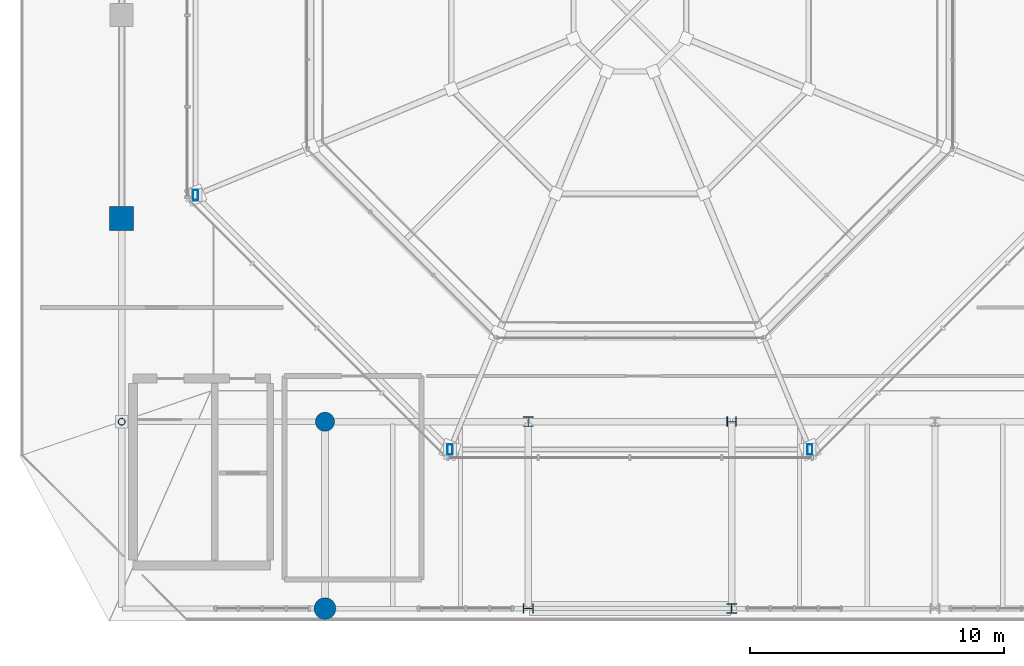
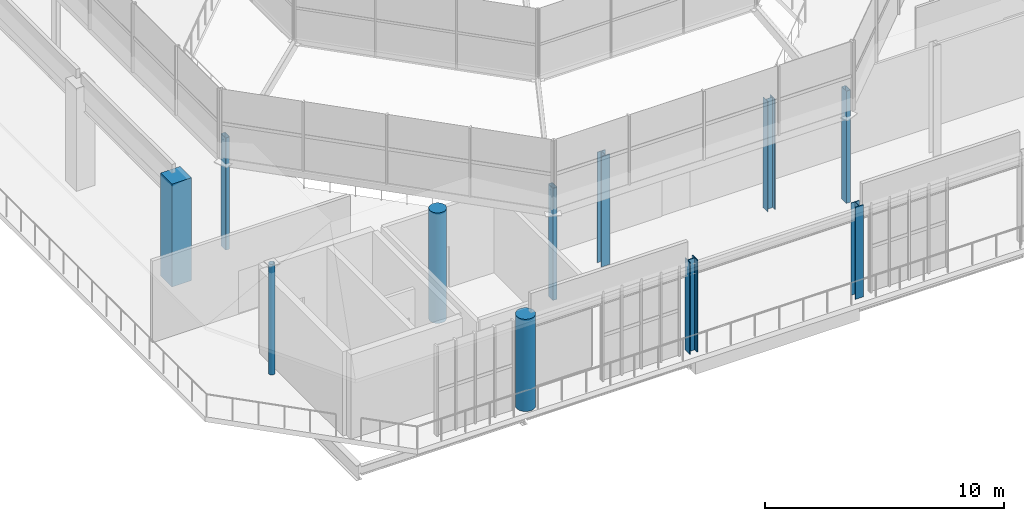
# One storey, part 1 of 30: 11 columns.
"""IFC4 building model written with IfcOpenShell, lengths in metres."""

from ifc_helpers import new_model, si_unit, direction, frame, origin, origin_2d, place, context, subcontext, project, spatial, rectangle, hollow_rectangle, circle, hollow_circle, i_section, extrude, material, material_profile, profile_set, type_object, element, save


model = new_model("IFC4")

# Units and contexts
model_context = context("Model", 3, precision=1e-05, world=origin(), true_north=direction((0.0, 1.0)))
body_context = subcontext(model_context, "Body", "Model", "MODEL_VIEW")
ifc_project = project(units=[si_unit("LENGTHUNIT", "METRE"), si_unit("AREAUNIT", "SQUARE_METRE"), si_unit("VOLUMEUNIT", "CUBIC_METRE"), si_unit("PLANEANGLEUNIT", "RADIAN"), si_unit("MASSUNIT", "GRAM", prefix="KILO")], contexts=[model_context])

# Site, building, storey
site_placement = place(None, origin())
site = spatial("IfcSite", under=ifc_project, at=site_placement, CompositionType="ELEMENT")
building_placement = place(site_placement, origin())
building = spatial("IfcBuilding", under=site, at=building_placement, Name="Brisemont Oceanarium", CompositionType="ELEMENT")
storey_placement = place(building_placement, frame((0.0, 0.0, 19.800048828125)))
storey = spatial("IfcBuildingStorey", under=building, at=storey_placement, Name="L04", CompositionType="ELEMENT", Elevation=19.800048828125)

# Columns
ifc_material_1 = material(Name="Structural Steel ASTM A500 Gr.C", Category="steel")
ifc_material_profile_1 = material_profile(ifc_material_1, hollow_circle(Radius=0.136474609375, WallThickness=0.01171875, at=origin_2d()), Name="HSS10.750X0.500")
ifc_profile_set_1 = profile_set([ifc_material_profile_1], Name="Structural Steel ASTM A500 Gr.C")
column_type_1 = type_object("IfcColumnType", Name="COL-CHS10", PredefinedType="COLUMN", material=ifc_profile_set_1)
column_1_placement = place(storey_placement, frame((64.0, 40.0, 0.0), z_axis=(0.0, 0.0, 1.0), x_axis=(1.0, 0.0, 0.0)))
element("IfcColumn", 1, at=column_1_placement, inside=storey, type_object=column_type_1, Name="V1 L04 column (1,1)", PredefinedType="COLUMN", context=body_context, shape_type="SweptSolid", body=[
    extrude(hollow_circle(Radius=0.136474609375, WallThickness=0.01171875, at=origin_2d()), origin(), (0.0, 0.0, 1.0), 5.637451171875),
])
ifc_material_2 = material(Name="Structural Steel ASTM A500 Gr.C", Category="steel")
ifc_material_profile_2 = material_profile(ifc_material_2, hollow_rectangle(XDim=0.202880859375, YDim=0.406005859375, WallThickness=0.01171875, InnerFilletRadius=0.01220703125, OuterFilletRadius=0.02392578125, at=origin_2d()), Name="HSS16X8X1/2")
ifc_profile_set_2 = profile_set([ifc_material_profile_2], Name="Structural Steel ASTM A500 Gr.C")
column_type_2 = type_object("IfcColumnType", Name="COL-HSS16X8", PredefinedType="COLUMN", material=ifc_profile_set_2)
for number, where, z_axis, x_axis, name in (
    (2, (66.908203125, 48.92041015625, 0.0), (0.0, 0.0, 1.0), (1.0, 0.0, 0.0), "V1 dome drum pier L04.5"),
    (3, (76.92041015625, 38.908203125, 0.0), (0.0, 0.0, 1.0), (1.0, 0.0, 0.0), "V1 dome drum pier L04.6"),
    (4, (91.07958984375, 38.908203125, 0.0), (0.0, 0.0, 1.0), (1.0, 0.0, 0.0), "V1 dome drum pier L04.7"),
):
    element("IfcColumn", number, at=place(storey_placement, frame(where, z_axis=z_axis, x_axis=x_axis)), inside=storey, type_object=column_type_2, Name=name, PredefinedType="COLUMN", context=body_context, shape_type="SweptSolid", body=[
        extrude(hollow_rectangle(XDim=0.202880859375, YDim=0.406005859375, WallThickness=0.01171875, InnerFilletRadius=0.01220703125, OuterFilletRadius=0.02392578125, at=origin_2d()), origin(), (0.0, 0.0, 1.0), 5.719970703125),
    ])
ifc_material_3 = material(Name="Concrete C40/50", Category="concrete")
ifc_material_profile_3 = material_profile(ifc_material_3, rectangle(XDim=0.949951171875, YDim=0.949951171875, at=origin_2d()), Name="RC-COL-950X950")
ifc_profile_set_3 = profile_set([ifc_material_profile_3], Name="Concrete C40/50")
column_type_3 = type_object("IfcColumnType", Name="COL-RC950", PredefinedType="COLUMN", material=ifc_profile_set_3)
column_2_placement = place(storey_placement, frame((64.0, 48.0, 0.0), z_axis=(0.0, 0.0, 1.0), x_axis=(0.0, 1.0, 0.0)))
element("IfcColumn", 5, at=column_2_placement, inside=storey, type_object=column_type_3, Name="V1 L04 column (1,2)", PredefinedType="COLUMN", context=body_context, shape_type="SweptSolid", body=[
    extrude(rectangle(XDim=0.949951171875, YDim=0.949951171875, at=origin_2d()), origin(), (0.0, 0.0, 1.0), 5.245361328125),
])
ifc_material_4 = material(Name="Concrete C40/50", Category="concrete")
ifc_material_profile_4 = material_profile(ifc_material_4, circle(Radius=0.375, at=origin_2d()), Name="RC-COL-D750")
ifc_profile_set_4 = profile_set([ifc_material_profile_4], Name="Concrete C40/50")
column_type_4 = type_object("IfcColumnType", Name="COL-RCD750", PredefinedType="COLUMN", material=ifc_profile_set_4)
column_3_placement = place(storey_placement, frame((72.0, 40.0, 0.0), z_axis=(0.0, 0.0, 1.0), x_axis=(0.0, 1.0, 0.0)))
element("IfcColumn", 6, at=column_3_placement, inside=storey, type_object=column_type_4, Name="V1 L04 column (2,1)", PredefinedType="COLUMN", context=body_context, shape_type="SweptSolid", body=[
    extrude(circle(Radius=0.375, at=origin_2d()), origin(), (0.0, 0.0, 1.0), 5.637451171875),
])
ifc_material_5 = material(Name="Concrete C40/50", Category="concrete")
ifc_material_profile_5 = material_profile(ifc_material_5, circle(Radius=0.425048828125, at=origin_2d()), Name="RC-COL-D850")
ifc_profile_set_5 = profile_set([ifc_material_profile_5], Name="Concrete C40/50")
column_type_5 = type_object("IfcColumnType", Name="COL-RCD850", PredefinedType="COLUMN", material=ifc_profile_set_5)
column_4_placement = place(storey_placement, frame((72.0, 32.64990234375, 0.0), z_axis=(0.0, 0.0, 1.0), x_axis=(1.0, 0.0, 0.0)))
element("IfcColumn", 7, at=column_4_placement, inside=storey, type_object=column_type_5, Name="V1 L04 column (2,0)", PredefinedType="COLUMN", context=body_context, shape_type="SweptSolid", body=[
    extrude(circle(Radius=0.425048828125, at=origin_2d()), origin(), (0.0, 0.0, 1.0), 4.703369140625),
])
ifc_material_6 = material(Name="Structural Steel ASTM A992 Gr.50", Category="steel")
ifc_material_profile_6 = material_profile(ifc_material_6, i_section(OverallWidth=0.3740234375, OverallDepth=0.3720703125, WebThickness=0.016357421875, FlangeThickness=0.026123046875, FilletRadius=0.014892578125, at=origin_2d()), Name="W14X132")
ifc_profile_set_6 = profile_set([ifc_material_profile_6], Name="Structural Steel ASTM A992 Gr.50")
column_type_6 = type_object("IfcColumnType", Name="COL-W14X132", PredefinedType="COLUMN", material=ifc_profile_set_6)
column_5_placement = place(storey_placement, frame((88.0, 40.0, 0.0), z_axis=(0.0, 0.0, 1.0), x_axis=(0.0, 1.0, 0.0)))
element("IfcColumn", 8, at=column_5_placement, inside=storey, type_object=column_type_6, Name="V1 L04 column (4,1)", PredefinedType="COLUMN", context=body_context, shape_type="SweptSolid", body=[
    extrude(i_section(OverallWidth=0.3740234375, OverallDepth=0.3720703125, WebThickness=0.016357421875, FlangeThickness=0.026123046875, FilletRadius=0.014892578125, at=origin_2d()), origin(), (0.0, 0.0, 1.0), 5.637451171875),
])
ifc_material_7 = material(Name="Structural Steel ASTM A992 Gr.50", Category="steel")
ifc_material_profile_7 = material_profile(ifc_material_7, i_section(OverallWidth=0.39404296875, OverallDepth=0.3759765625, WebThickness=0.017333984375, FlangeThickness=0.027587890625, FilletRadius=0.014892578125, at=origin_2d()), Name="W14X145")
ifc_profile_set_7 = profile_set([ifc_material_profile_7], Name="Structural Steel ASTM A992 Gr.50")
column_type_7 = type_object("IfcColumnType", Name="COL-W14X145", PredefinedType="COLUMN", material=ifc_profile_set_7)
column_6_placement = place(storey_placement, frame((88.0, 32.64990234375, 0.0), z_axis=(0.0, 0.0, 1.0), x_axis=(1.0, 0.0, 0.0)))
element("IfcColumn", 9, at=column_6_placement, inside=storey, type_object=column_type_7, Name="V1 L04 column (4,0)", PredefinedType="COLUMN", context=body_context, shape_type="SweptSolid", body=[
    extrude(i_section(OverallWidth=0.39404296875, OverallDepth=0.3759765625, WebThickness=0.017333984375, FlangeThickness=0.027587890625, FilletRadius=0.014892578125, at=origin_2d()), origin(), (0.0, 0.0, 1.0), 4.703369140625),
])
ifc_material_8 = material(Name="Structural Steel ASTM A992 Gr.50", Category="steel")
ifc_material_profile_8 = material_profile(ifc_material_8, i_section(OverallWidth=0.39990234375, OverallDepth=0.39306640625, WebThickness=0.022705078125, FlangeThickness=0.03662109375, FilletRadius=0.014892578125, at=origin_2d()), Name="W14X193")
ifc_profile_set_8 = profile_set([ifc_material_profile_8], Name="Structural Steel ASTM A992 Gr.50")
column_type_8 = type_object("IfcColumnType", Name="COL-W14X193", PredefinedType="COLUMN", material=ifc_profile_set_8)
column_7_placement = place(storey_placement, frame((80.0, 40.0, 0.0), z_axis=(0.0, 0.0, 1.0), x_axis=(1.0, 0.0, 0.0)))
element("IfcColumn", 10, at=column_7_placement, inside=storey, type_object=column_type_8, Name="V1 L04 column (3,1)", PredefinedType="COLUMN", context=body_context, shape_type="SweptSolid", body=[
    extrude(i_section(OverallWidth=0.39990234375, OverallDepth=0.39306640625, WebThickness=0.022705078125, FlangeThickness=0.03662109375, FilletRadius=0.014892578125, at=origin_2d()), origin(), (0.0, 0.0, 1.0), 5.637451171875),
])
ifc_material_9 = material(Name="Structural Steel ASTM A992 Gr.50", Category="steel")
ifc_material_profile_9 = material_profile(ifc_material_9, i_section(OverallWidth=0.40087890625, OverallDepth=0.39892578125, WebThickness=0.02490234375, FlangeThickness=0.03955078125, FilletRadius=0.014892578125, at=origin_2d()), Name="W14X211")
ifc_profile_set_9 = profile_set([ifc_material_profile_9], Name="Structural Steel ASTM A992 Gr.50")
column_type_9 = type_object("IfcColumnType", Name="COL-W14X211", PredefinedType="COLUMN", material=ifc_profile_set_9)
column_8_placement = place(storey_placement, frame((80.0, 32.64990234375, 0.0), z_axis=(0.0, 0.0, 1.0), x_axis=(0.0, 1.0, 0.0)))
element("IfcColumn", 11, at=column_8_placement, inside=storey, type_object=column_type_9, Name="V1 L04 column (3,0)", PredefinedType="COLUMN", context=body_context, shape_type="SweptSolid", body=[
    extrude(i_section(OverallWidth=0.40087890625, OverallDepth=0.39892578125, WebThickness=0.02490234375, FlangeThickness=0.03955078125, FilletRadius=0.014892578125, at=origin_2d()), origin(), (0.0, 0.0, 1.0), 4.703369140625),
])

save(model, "model.ifc")
